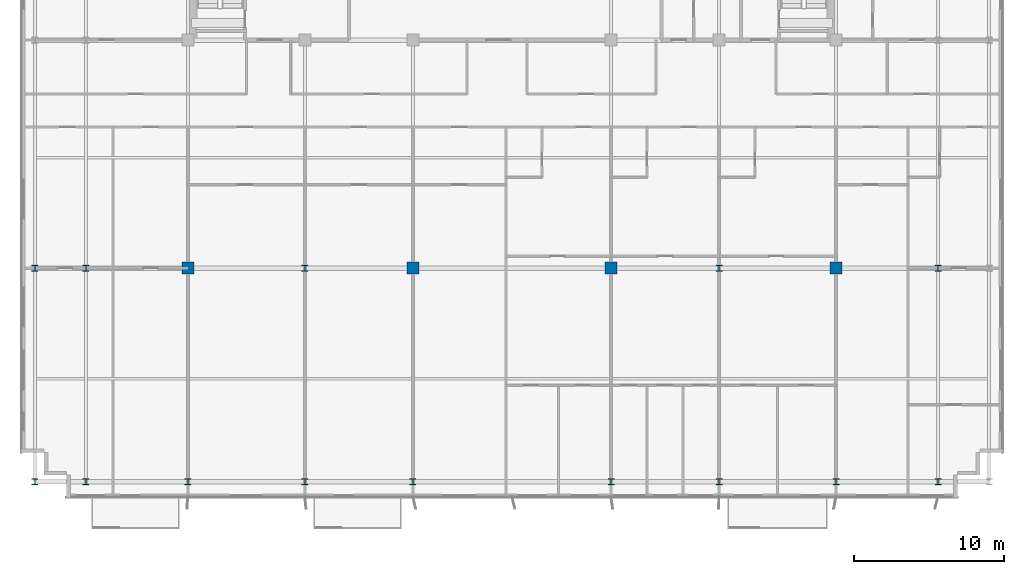
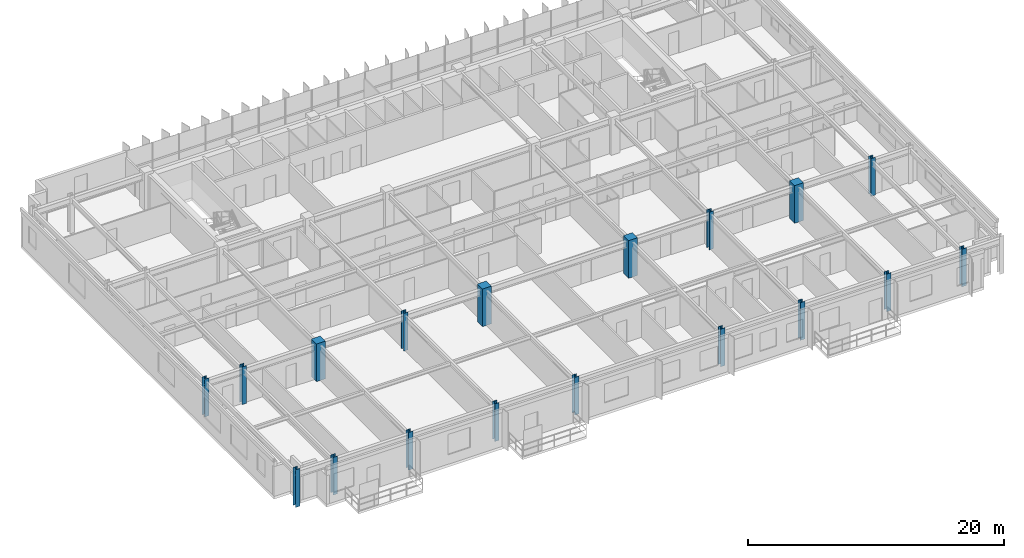
# One storey, part 1 of 22: 18 columns.
"""IFC4 building model written with IfcOpenShell, lengths in metres."""

from ifc_helpers import new_model, si_unit, direction, frame, origin, origin_2d, place, context, subcontext, project, spatial, rectangle, i_section, extrude, source, transform, mapped, material, material_profile, profile_set, type_object, element, save


model = new_model("IFC4")

# Units and contexts
model_context = context("Model", 3, precision=1e-05, world=origin(), true_north=direction((0.0, 1.0)))
body_context = subcontext(model_context, "Body", "Model", "MODEL_VIEW")
ifc_project = project(units=[si_unit("LENGTHUNIT", "METRE"), si_unit("AREAUNIT", "SQUARE_METRE"), si_unit("VOLUMEUNIT", "CUBIC_METRE"), si_unit("PLANEANGLEUNIT", "RADIAN"), si_unit("MASSUNIT", "GRAM", prefix="KILO")], contexts=[model_context])

# Site, building, storey
site_placement = place(None, origin())
site = spatial("IfcSite", under=ifc_project, at=site_placement, CompositionType="ELEMENT")
building_placement = place(site_placement, origin())
building = spatial("IfcBuilding", under=site, at=building_placement, Name="Trelvane Seafront Commons", CompositionType="ELEMENT")
storey_placement = place(building_placement, frame((0.0, 0.0, 88.89990234375)))
storey = spatial("IfcBuildingStorey", under=building, at=storey_placement, Name="L22", CompositionType="ELEMENT", Elevation=88.89990234375)

# Columns
ifc_material_1 = material(Name="Steel SM355 (S355)", Category="steel")
ifc_material_profile_1 = material_profile(ifc_material_1, i_section(OverallWidth=0.39990234375, OverallDepth=0.39990234375, WebThickness=0.02197265625, FlangeThickness=0.034912109375, at=origin_2d()), Name="HD-400x400x22x35")
ifc_profile_set_1 = profile_set([ifc_material_profile_1], Name="Steel SM355 (S355)")
column_type_1 = type_object("IfcColumnType", Name="STR-COL-HD400", PredefinedType="COLUMN", material=ifc_profile_set_1)
shared_shape_1 = source(origin(), body_context, "Body", "SweptSolid", [
    extrude(i_section(OverallWidth=0.39990234375, OverallDepth=0.39990234375, WebThickness=0.02197265625, FlangeThickness=0.034912109375, at=origin_2d()), origin(), (0.0, 0.0, 1.0), 3.60009765625),
])
for number, where, z_axis, x_axis, name in (
    (1, (5.39990234375, 3.949951171875, 0.0), (0.0, 0.0, 1.0), (1.0, 0.0, 0.0), "L22 Column TC-S5.4"),
    (2, (5.39990234375, 18.199951171875, 0.0), (0.0, 0.0, 1.0), (1.0, 0.0, 0.0), "L22 Column TC-M5.4"),
    (3, (8.800048828125, 3.949951171875, 0.0), (0.0, 0.0, 1.0), (1.0, 0.0, 0.0), "L22 Column TC-S8.8"),
    (4, (8.800048828125, 18.199951171875, 0.0), (0.0, 0.0, 1.0), (1.0, 0.0, 0.0), "L22 Column TC-M8.8"),
    (5, (15.60009765625, 3.949951171875, 0.0), (0.0, 0.0, 1.0), (1.0, 0.0, 0.0), "L22 Column TC-S15.6"),
    (6, (23.39990234375, 3.949951171875, 0.0), (0.0, 0.0, 1.0), (1.0, 0.0, 0.0), "L22 Column TC-S23.4"),
    (7, (23.39990234375, 18.199951171875, 0.0), (0.0, 0.0, 1.0), (1.0, 0.0, 0.0), "L22 Column TC-M23.4"),
    (8, (30.60009765625, 3.949951171875, 0.0), (0.0, 0.0, 1.0), (1.0, 0.0, 0.0), "L22 Column TC-S30.6"),
    (9, (43.800048828125, 3.949951171875, 0.0), (0.0, 0.0, 1.0), (1.0, 0.0, 0.0), "L22 Column TC-S43.8"),
    (10, (51.0, 3.949951171875, 0.0), (0.0, 0.0, 1.0), (1.0, 0.0, 0.0), "L22 Column TC-S51.0"),
    (11, (51.0, 18.199951171875, 0.0), (0.0, 0.0, 1.0), (1.0, 0.0, 0.0), "L22 Column TC-M51.0"),
    (12, (58.800048828125, 3.949951171875, 0.0), (0.0, 0.0, 1.0), (1.0, 0.0, 0.0), "L22 Column TC-S58.8"),
    (13, (65.60009765625, 3.949951171875, 0.0), (0.0, 0.0, 1.0), (1.0, 0.0, 0.0), "L22 Column TC-S65.6"),
    (14, (65.60009765625, 18.199951171875, 0.0), (0.0, 0.0, 1.0), (1.0, 0.0, 0.0), "L22 Column TC-M65.6"),
):
    element("IfcColumn", number, at=place(storey_placement, frame(where, z_axis=z_axis, x_axis=x_axis)), inside=storey, type_object=column_type_1, Name=name, PredefinedType="COLUMN", context=body_context, shape_type="MappedRepresentation", body=[
        mapped(shared_shape_1, transform((0.0, 0.0, 0.0), x_axis=(1.0, 0.0, 0.0), y_axis=(0.0, 1.0, 0.0), z_axis=(0.0, 0.0, 1.0), scale=1.0)),
    ])
ifc_material_2 = material(Name="Concrete C60/75", Category="concrete")
ifc_material_profile_2 = material_profile(ifc_material_2, rectangle(XDim=0.800048828125, YDim=0.800048828125, at=origin_2d()), Name="RC-800x800")
ifc_profile_set_2 = profile_set([ifc_material_profile_2], Name="Concrete C60/75")
column_type_2 = type_object("IfcColumnType", Name="STR-COL-RC800", PredefinedType="COLUMN", material=ifc_profile_set_2)
shared_shape_2 = source(origin(), body_context, "Body", "SweptSolid", [
    extrude(rectangle(XDim=0.800048828125, YDim=0.800048828125, at=origin_2d()), origin(), (0.0, 0.0, 1.0), 3.60009765625),
])
for number, where, z_axis, x_axis, name in (
    (15, (15.60009765625, 18.199951171875, 0.0), (0.0, 0.0, 1.0), (1.0, 0.0, 0.0), "L22 Column TC-M15.6"),
    (16, (30.60009765625, 18.199951171875, 0.0), (0.0, 0.0, 1.0), (1.0, 0.0, 0.0), "L22 Column TC-M30.6"),
    (17, (43.800048828125, 18.199951171875, 0.0), (0.0, 0.0, 1.0), (1.0, 0.0, 0.0), "L22 Column TC-M43.8"),
    (18, (58.800048828125, 18.199951171875, 0.0), (0.0, 0.0, 1.0), (1.0, 0.0, 0.0), "L22 Column TC-M58.8"),
):
    element("IfcColumn", number, at=place(storey_placement, frame(where, z_axis=z_axis, x_axis=x_axis)), inside=storey, type_object=column_type_2, Name=name, PredefinedType="COLUMN", context=body_context, shape_type="MappedRepresentation", body=[
        mapped(shared_shape_2, transform((0.0, 0.0, 0.0), x_axis=(1.0, 0.0, 0.0), y_axis=(0.0, 1.0, 0.0), z_axis=(0.0, 0.0, 1.0), scale=1.0)),
    ])

save(model, "model.ifc")
